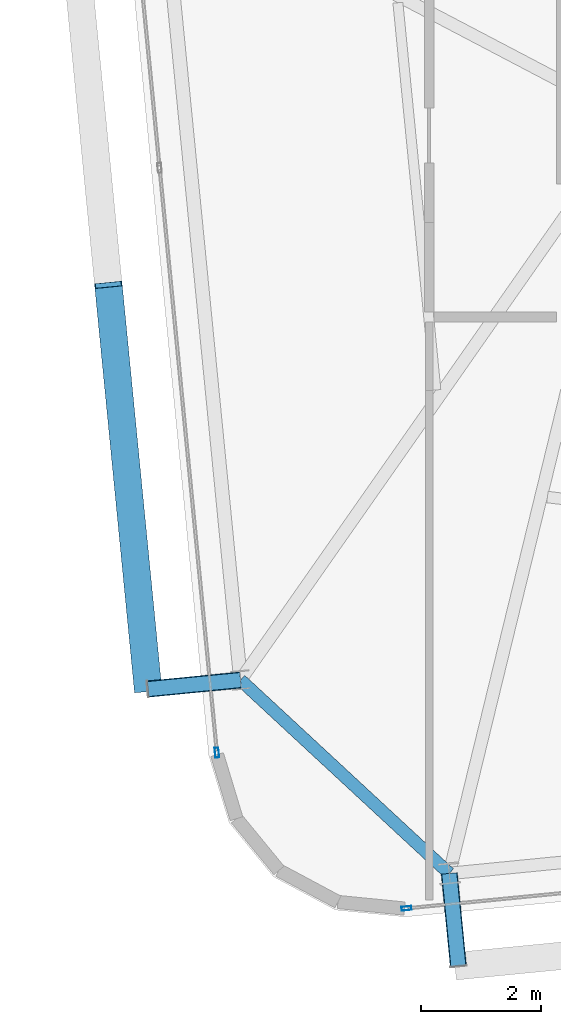
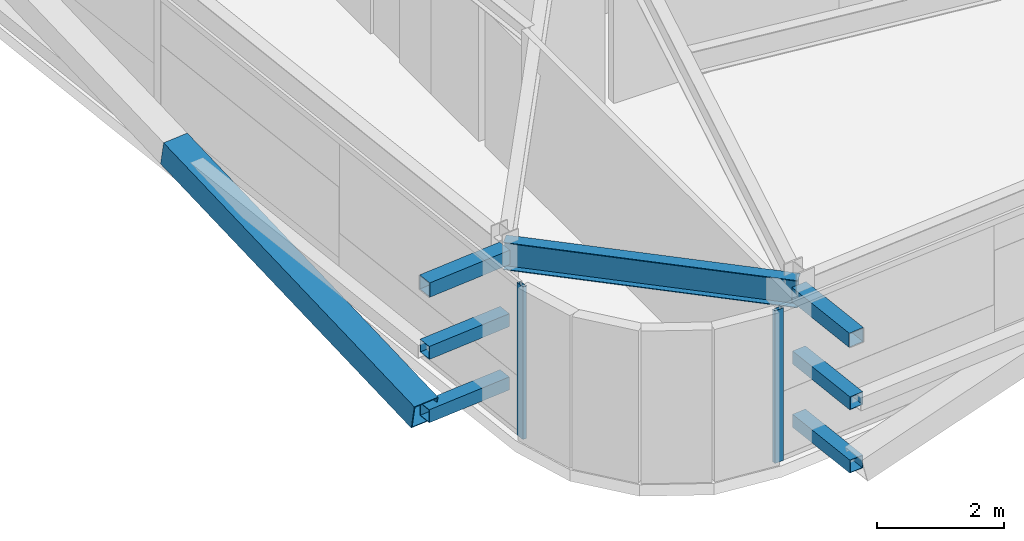
# One storey, part 5 of 47: 9 members, 1 beam, 2 elements without a shape of their own.
"""IFC4 building model written with IfcOpenShell, lengths in metres."""

from ifc_helpers import new_model, si_unit, direction, frame, origin, origin_2d, place, context, subcontext, project, spatial, hollow_rectangle, i_section, extrude, source, transform, mapped, material, layer, layer_set, material_profile, profile_set, type_object, element, aggregate, save


model = new_model("IFC4")

# Units and contexts
model_context = context("Model", 3, precision=1e-05, world=origin(), true_north=direction((0.0, 1.0)))
body_context = subcontext(model_context, "Body", "Model", "MODEL_VIEW")
ifc_project = project(units=[si_unit("LENGTHUNIT", "METRE"), si_unit("AREAUNIT", "SQUARE_METRE"), si_unit("VOLUMEUNIT", "CUBIC_METRE"), si_unit("PLANEANGLEUNIT", "RADIAN"), si_unit("MASSUNIT", "GRAM", prefix="KILO")], contexts=[model_context])

# Site, building, storey
site_placement = place(None, origin())
site = spatial("IfcSite", under=ifc_project, at=site_placement, CompositionType="ELEMENT")
building_placement = place(site_placement, origin())
building = spatial("IfcBuilding", under=site, at=building_placement, Name="Taldren Reach Tower", CompositionType="ELEMENT")
storey_placement = place(building_placement, frame((0.0, 0.0, 87.14990234375)))
storey = spatial("IfcBuildingStorey", under=building, at=storey_placement, Name="L26", CompositionType="ELEMENT", Elevation=87.14990234375)

# Beam
ifc_material_1 = material(Name="Steel Gr 350 (350PLUS)", Category="steel")
ifc_material_profile_1 = material_profile(ifc_material_1, i_section(OverallWidth=0.208984375, OverallDepth=0.528076171875, WebThickness=0.009521484375, FlangeThickness=0.01318359375, at=origin_2d()), Name="530UB82.0")
ifc_profile_set_1 = profile_set([ifc_material_profile_1], Name="Steel Gr 350 (350PLUS)")
beam_type = type_object("IfcBeamType", Name="SP-UB530B", PredefinedType="SPANDREL", material=ifc_profile_set_1)
shared_shape_1 = source(origin(), body_context, "Body", "SweptSolid", [
    extrude(i_section(OverallWidth=0.208984375, OverallDepth=0.528076171875, WebThickness=0.009521484375, FlangeThickness=0.01318359375, at=origin_2d()), origin(), (0.0, 0.0, 1.0), 4.745849609375),
])
beam_placement = place(storey_placement, frame((11.452880859375, 3.145751953125, 2.666015625), z_axis=(0.733524121458, -0.679663419083, 0.0), x_axis=(0.679663419083, 0.733524121458, 0.0)))
element("IfcBeam", 1, at=beam_placement, inside=storey, type_object=beam_type, Name="Perimeter spandrel B2 W1-S1 L26", PredefinedType="SPANDREL", context=body_context, shape_type="MappedRepresentation", body=[
    mapped(shared_shape_1, transform((0.0, 0.0, 0.0), scale=1.0)),
])

# Members
ifc_material_2 = material(Name="Steel Gr 450 (C450L0)", Category="steel")
ifc_material_profile_2 = material_profile(ifc_material_2, hollow_rectangle(XDim=0.27490234375, YDim=0.27490234375, WallThickness=0.00927734375, at=origin_2d()), Name="275x275x9.3SHS")
ifc_profile_set_2 = profile_set([ifc_material_profile_2], Name="Steel Gr 450 (C450L0)")
member_type_1 = type_object("IfcMemberType", Name="MB-TIE273", PredefinedType="STRUT", material=ifc_profile_set_2)
shared_shape_2 = source(origin(), body_context, "Body", "SweptSolid", [
    extrude(hollow_rectangle(XDim=0.27490234375, YDim=0.27490234375, WallThickness=0.00927734375, at=origin_2d()), origin(), (0.0, 0.0, 1.0), 1.550048828125),
])
for number, where, z_axis, x_axis, name in (
    (2, (14.93408203125, -0.079833984375, 2.650146484375), (0.097647892962, -0.9952210252, 0.0), (0.9952210252, 0.097647892962, 0.0), "Exoskeleton diaphragm tie strut B2-S1 L26"),
    (3, (11.452880859375, 3.145751953125, 2.650146484375), (-0.995236318924, -0.097491894511, 0.0), (0.097491894511, -0.995236318924, 0.0), "Exoskeleton diaphragm tie strut B2-W1 L26"),
):
    element("IfcMember", number, at=place(storey_placement, frame(where, z_axis=z_axis, x_axis=x_axis)), inside=storey, type_object=member_type_1, Name=name, PredefinedType="STRUT", context=body_context, shape_type="MappedRepresentation", body=[
        mapped(shared_shape_2, transform((0.0, 0.0, 0.0), scale=1.0)),
    ])
ifc_material_3 = material(Name="Steel Gr 350 (C350L0)", Category="steel")
ifc_material_profile_3 = material_profile(ifc_material_3, hollow_rectangle(XDim=0.25, YDim=0.25, WallThickness=0.010009765625, at=origin_2d()), Name="250x250x10.0SHS")
ifc_profile_set_3 = profile_set([ifc_material_profile_3], Name="Steel Gr 350 (C350L0)")
member_type_2 = type_object("IfcMemberType", Name="MB-POST250", PredefinedType="POST", material=ifc_profile_set_3)
shared_shape_3 = source(origin(), body_context, "Body", "SweptSolid", [
    extrude(hollow_rectangle(XDim=0.25, YDim=0.25, WallThickness=0.010009765625, at=origin_2d()), origin(), (0.0, 0.0, 1.0), 1.550048828125),
])
for number, where, z_axis, x_axis, name in (
    (4, (14.93408203125, -0.079833984375, 0.22021484375), (0.097647892962, -0.9952210252, 0.0), (0.9952210252, 0.097647892962, 0.0), "Exoskeleton base diaphragm tie strut B2-S1 L26"),
    (5, (11.452880859375, 3.145751953125, 0.22021484375), (-0.995236318924, -0.097491894511, 0.0), (0.097491894511, -0.995236318924, 0.0), "Exoskeleton base diaphragm tie strut B2-W1 L26"),
    (6, (14.93408203125, -0.079833984375, 1.43505859375), (0.097647892962, -0.9952210252, 0.0), (0.9952210252, 0.097647892962, 0.0), "Exoskeleton mid-tier diaphragm tie B2-S1 L26"),
    (7, (11.452880859375, 3.145751953125, 1.43505859375), (-0.995236318924, -0.097491894511, 0.0), (0.097491894511, -0.995236318924, 0.0), "Exoskeleton mid-tier diaphragm tie B2-W1 L26"),
):
    element("IfcMember", number, at=place(storey_placement, frame(where, z_axis=z_axis, x_axis=x_axis)), inside=storey, type_object=member_type_2, Name=name, PredefinedType="POST", context=body_context, shape_type="MappedRepresentation", body=[
        mapped(shared_shape_3, transform((0.0, 0.0, 0.0), scale=1.0)),
    ])
ifc_material_profile_4 = material_profile(ifc_material_2, hollow_rectangle(XDim=0.4599609375, YDim=0.4599609375, WallThickness=0.01611328125, at=origin_2d()), Name="460x460x16.0SHS")
ifc_profile_set_4 = profile_set([ifc_material_profile_4], Name="Steel Gr 450 (C450L0)")
member_type_3 = type_object("IfcMemberType", Name="MB-EXO457", PredefinedType="BRACE", material=ifc_profile_set_4)
shared_shape_4 = source(origin(), body_context, "Body", "SweptSolid", [
    extrude(hollow_rectangle(XDim=0.4599609375, YDim=0.4599609375, WallThickness=0.01611328125, at=origin_2d()), origin(), (0.0, 0.0, 1.0), 6.883056640625),
])
member_1_placement = place(storey_placement, frame((9.91015625, 2.99462890625, 0.22021484375), z_axis=(-0.096052059581, 0.979603316657, 0.176497432967), x_axis=(-0.995227290009, -0.097584021339, 0.0)))
element("IfcMember", 8, at=member_1_placement, inside=storey, type_object=member_type_3, Name="Exoskeleton Diagrid Brace B2-W1 L26", PredefinedType="BRACE", context=body_context, shape_type="MappedRepresentation", body=[
    mapped(shared_shape_4, transform((0.0, 0.0, 0.0), scale=1.0)),
])

# Curtain wall, member
ifc_material_4 = material(Name="Aluminium and Low-E Glass Unitised System", Category="aluminium")
ifc_layer = layer(ifc_material_4, 0.159912109375)
ifc_layer_set = layer_set([ifc_layer], Name="Aluminium and Low-E Glass Unitised System")
curtain_wall_type = type_object("IfcCurtainWallType", Name="CW-SYS-3", PredefinedType="NOTDEFINED", material=ifc_layer_set)
curtain_wall_1_placement = place(storey_placement, origin())
curtain_wall_1 = element("IfcCurtainWall", 9, at=curtain_wall_1_placement, inside=storey, type_object=curtain_wall_type, Name="Unitised curtain wall CW-L26-S", PredefinedType="NOTDEFINED")
ifc_material_5 = material(Name="Anodised Aluminium 6063-T6", Category="aluminium")
ifc_material_profile_5 = material_profile(ifc_material_5, hollow_rectangle(XDim=0.06494140625, YDim=0.1650390625, WallThickness=0.00390625, at=origin_2d()), Name="ALU-165x65x4RHS")
ifc_profile_set_5 = profile_set([ifc_material_profile_5], Name="Anodised Aluminium 6063-T6")
member_type_4 = type_object("IfcMemberType", Name="CW-MUL-165", PredefinedType="MULLION", material=ifc_profile_set_5)
shared_shape_5 = source(origin(), body_context, "Body", "SweptSolid", [
    extrude(hollow_rectangle(XDim=0.06494140625, YDim=0.1650390625, WallThickness=0.00390625, at=origin_2d()), origin(), (0.0, 0.0, 1.0), 2.93017578125),
])
member_2_placement = place(storey_placement, frame((14.22021484375, -0.662353515625, 0.0), z_axis=(0.0, 0.0, 1.0), x_axis=(-0.097582999046, 0.995227390247, 0.0)))
member_2 = element("IfcMember", 10, at=member_2_placement, type_object=member_type_4, Name="CW-3 mullion 1", PredefinedType="MULLION", context=body_context, shape_type="MappedRepresentation", body=[
    mapped(shared_shape_5, transform((0.0, 0.0, 0.0), scale=1.0)),
])
aggregate(curtain_wall_1, [member_2])

curtain_wall_2_placement = place(storey_placement, origin())
curtain_wall_2 = element("IfcCurtainWall", 11, at=curtain_wall_2_placement, inside=storey, type_object=curtain_wall_type, Name="Unitised curtain wall CW-L26-W", PredefinedType="NOTDEFINED")
member_3_placement = place(storey_placement, frame((11.05908203125, 1.93408203125, 0.0), z_axis=(0.0, 0.0, 1.0), x_axis=(0.99522741555, 0.09758274098, 0.0)))
member_3 = element("IfcMember", 12, at=member_3_placement, type_object=member_type_4, Name="CW-3 mullion 4", PredefinedType="MULLION", context=body_context, shape_type="MappedRepresentation", body=[
    mapped(shared_shape_5, transform((0.0, 0.0, 0.0), scale=1.0)),
])
aggregate(curtain_wall_2, [member_3])

save(model, "model.ifc")
